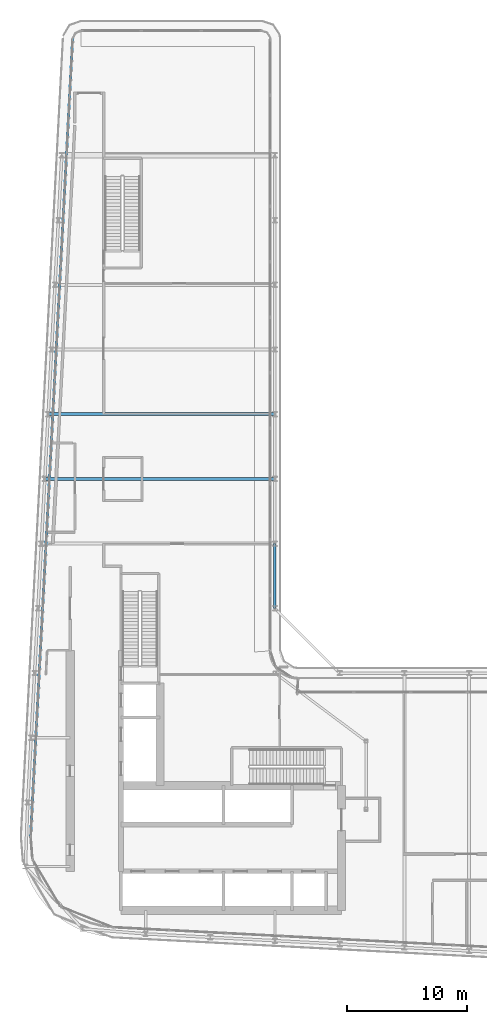
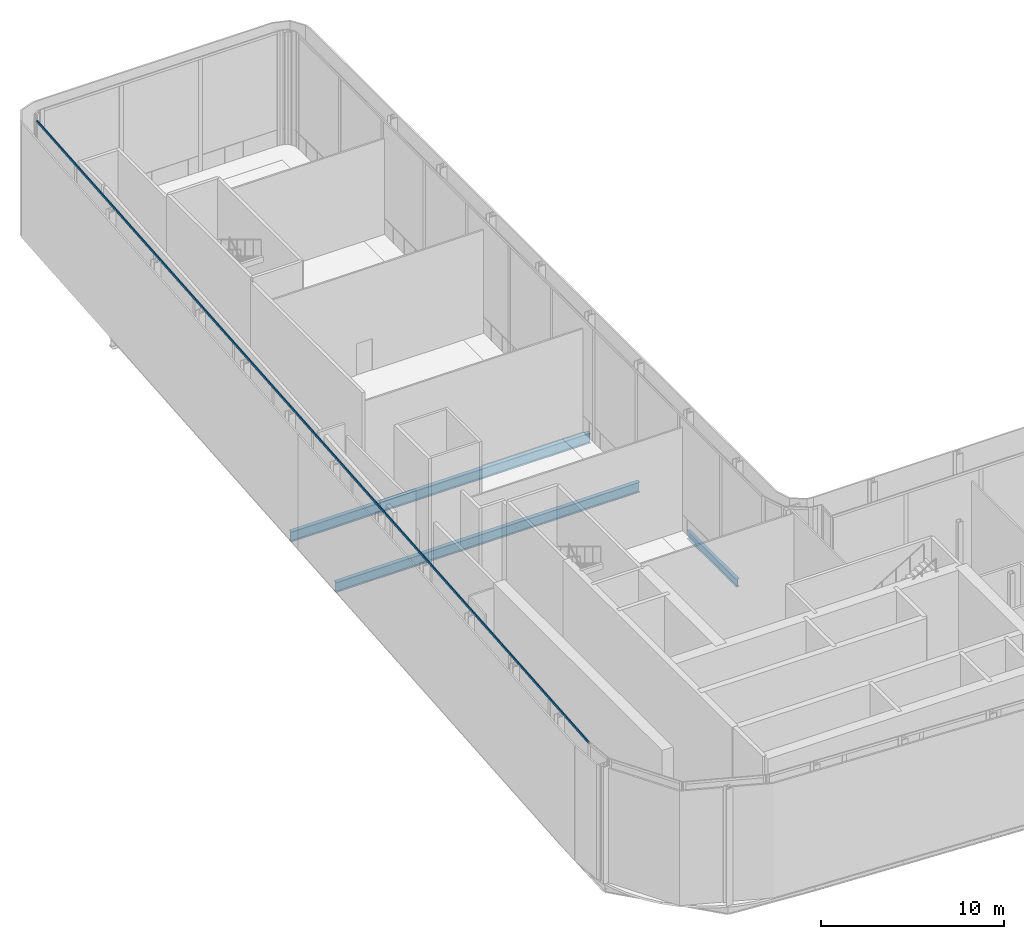
# One storey, part 13 of 38: 3 beams, 1 member, 1 element without a shape of its own.
"""IFC4 building model written with IfcOpenShell, lengths in metres."""

from ifc_helpers import new_model, si_unit, direction, frame, origin, origin_2d, place, context, subcontext, project, spatial, rectangle, i_section, extrude, material, layer, layer_set, material_profile, profile_set, type_object, element, aggregate, save


model = new_model("IFC4")

# Units and contexts
model_context = context("Model", 3, precision=1e-05, world=origin(), true_north=direction((0.0, 1.0)))
body_context = subcontext(model_context, "Body", "Model", "MODEL_VIEW")
ifc_project = project(units=[si_unit("LENGTHUNIT", "METRE"), si_unit("AREAUNIT", "SQUARE_METRE"), si_unit("VOLUMEUNIT", "CUBIC_METRE"), si_unit("PLANEANGLEUNIT", "RADIAN"), si_unit("MASSUNIT", "GRAM", prefix="KILO")], contexts=[model_context])

# Site, building, storey
site_placement = place(None, origin())
site = spatial("IfcSite", under=ifc_project, at=site_placement, CompositionType="ELEMENT")
building_placement = place(site_placement, origin())
building = spatial("IfcBuilding", under=site, at=building_placement, Name="Kheshtan School and Residences Tower", CompositionType="ELEMENT")
storey_placement = place(building_placement, frame((0.0, 0.0, 203.300048828125)))
storey = spatial("IfcBuildingStorey", under=building, at=storey_placement, Name="L48", CompositionType="ELEMENT", Elevation=203.300048828125)

# Beams
ifc_material_1 = material(Name="Steel ASTM A992 Grade 50", Category="steel")
ifc_material_profile_1 = material_profile(ifc_material_1, i_section(OverallWidth=0.2529296875, OverallDepth=0.677978515625, WebThickness=0.01171875, FlangeThickness=0.016357421875, FilletRadius=0.0146484375, at=origin_2d()), Name="W690x125")
ifc_profile_set_1 = profile_set([ifc_material_profile_1], Name="Steel ASTM A992 Grade 50")
beam_type_1 = type_object("IfcBeamType", Name="Beam FB6 W690x125 ASTM A992 Grade 50", PredefinedType="BEAM", material=ifc_profile_set_1)
beam_1_placement = place(storey_placement, frame((47.60009765625, 67.199951171875, -0.489013671875), z_axis=(-1.0, 0.0, 0.0), x_axis=(0.0, -1.0, 0.0)))
element("IfcBeam", 1, at=beam_1_placement, inside=storey, type_object=beam_type_1, Name="Floor beam C085", PredefinedType="BEAM", context=body_context, shape_type="SweptSolid", body=[
    extrude(i_section(OverallWidth=0.2529296875, OverallDepth=0.677978515625, WebThickness=0.01171875, FlangeThickness=0.016357421875, FilletRadius=0.0146484375, at=origin_2d()), origin(), (0.0, 0.0, 1.0), 18.926025390625),
])
beam_2_placement = place(storey_placement, frame((28.389892578125, 61.800048828125, -0.489013671875), z_axis=(1.0, 0.0, 0.0), x_axis=(0.0, 1.0, 0.0)))
element("IfcBeam", 2, at=beam_2_placement, inside=storey, type_object=beam_type_1, Name="Floor beam C082", PredefinedType="BEAM", context=body_context, shape_type="SweptSolid", body=[
    extrude(i_section(OverallWidth=0.2529296875, OverallDepth=0.677978515625, WebThickness=0.01171875, FlangeThickness=0.016357421875, FilletRadius=0.0146484375, at=origin_2d()), origin(), (0.0, 0.0, 1.0), 19.210205078125),
])
ifc_material_profile_2 = material_profile(ifc_material_1, i_section(OverallWidth=0.208984375, OverallDepth=0.532958984375, WebThickness=0.01025390625, FlangeThickness=0.015625, FilletRadius=0.013916015625, at=origin_2d()), Name="W530x92")
ifc_profile_set_2 = profile_set([ifc_material_profile_2], Name="Steel ASTM A992 Grade 50")
beam_type_2 = type_object("IfcBeamType", Name="Beam SP3 W530x92 ASTM A992 Grade 50", PredefinedType="BEAM", material=ifc_profile_set_2)
beam_3_placement = place(storey_placement, frame((47.60009765625, 56.39990234375, -0.41650390625), z_axis=(0.0, -1.0, 0.0), x_axis=(1.0, 0.0, 0.0)))
element("IfcBeam", 3, at=beam_3_placement, inside=storey, type_object=beam_type_2, Name="Spandrel beam C081-C079", PredefinedType="BEAM", context=body_context, shape_type="SweptSolid", body=[
    extrude(i_section(OverallWidth=0.208984375, OverallDepth=0.532958984375, WebThickness=0.01025390625, FlangeThickness=0.015625, FilletRadius=0.013916015625, at=origin_2d()), origin(), (0.0, 0.0, 1.0), 5.39990234375),
])

# Curtain wall, member
ifc_material_2 = material(Name="Clear low-e glass in thermally broken aluminium frame", Category="aluminium")
ifc_layer = layer(ifc_material_2, 0.25)
ifc_layer_set = layer_set([ifc_layer], Name="Curtain wall CW-K")
curtain_wall_type = type_object("IfcCurtainWallType", Name="Curtain wall CW-K", PredefinedType="NOTDEFINED", material=ifc_layer_set)
curtain_wall_placement = place(storey_placement, origin())
curtain_wall = element("IfcCurtainWall", 4, at=curtain_wall_placement, inside=storey, type_object=curtain_wall_type, Name="Curtain wall CWK18", PredefinedType="NOTDEFINED")
ifc_material_3 = material(Name="Thermally broken aluminium, dark bronze anodised", Category="aluminium")
ifc_material_profile_3 = material_profile(ifc_material_3, rectangle(XDim=0.06005859375, YDim=0.159912109375, at=origin_2d()), Name="CW-K transom 60x160")
ifc_profile_set_3 = profile_set([ifc_material_profile_3], Name="Thermally broken aluminium, dark bronze anodised")
member_type = type_object("IfcMemberType", Name="CW-K transom 60x160", PredefinedType="USERDEFINED", material=ifc_profile_set_3)
member_placement = place(storey_placement, frame((27.219482421875, 31.963623046875, 7.570068359375), z_axis=(0.052565184819, 0.998617495012, 0.0), x_axis=(-0.998617495012, 0.052565184819, 0.0)))
member = element("IfcMember", 5, at=member_placement, type_object=member_type, Name="CWK18 transom 1", ObjectType="TRANSOM", PredefinedType="USERDEFINED", context=body_context, shape_type="SweptSolid", body=[
    extrude(rectangle(XDim=0.06005859375, YDim=0.159912109375, at=origin_2d()), origin(), (0.0, 0.0, 1.0), 66.57470703125),
])
aggregate(curtain_wall, [member])

save(model, "model.ifc")
